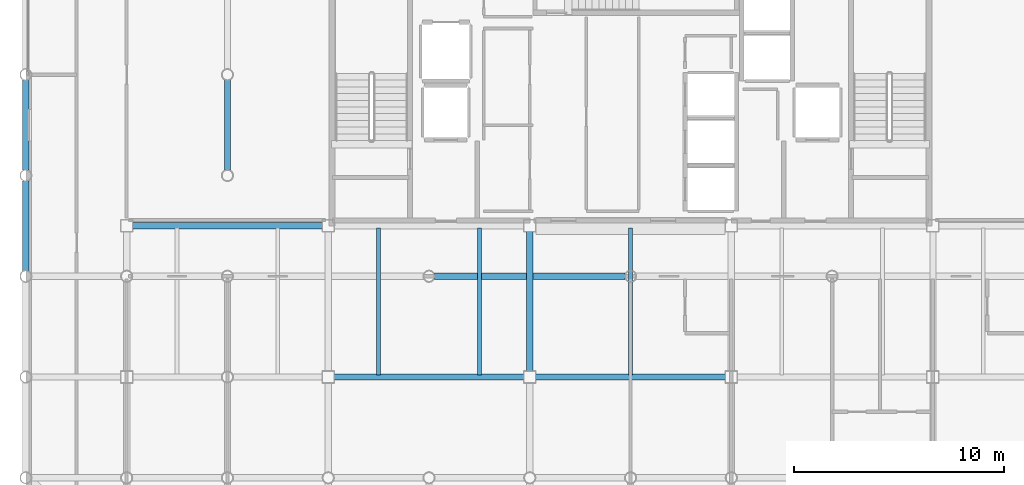
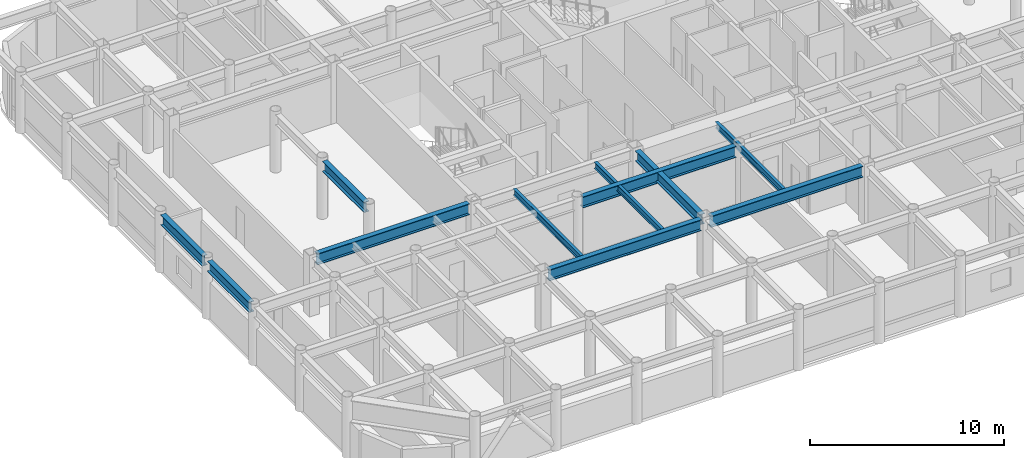
# One storey, part 5 of 21: 11 beams.
"""IFC4 building model written with IfcOpenShell, lengths in metres."""

from ifc_helpers import new_model, si_unit, direction, frame, origin, origin_2d, place, context, subcontext, project, spatial, i_section, extrude, material, material_profile, profile_set, type_object, element, save


model = new_model("IFC4")

# Units and contexts
model_context = context("Model", 3, precision=1e-05, world=origin(), true_north=direction((0.0, 1.0)))
body_context = subcontext(model_context, "Body", "Model", "MODEL_VIEW")
ifc_project = project(units=[si_unit("LENGTHUNIT", "METRE"), si_unit("AREAUNIT", "SQUARE_METRE"), si_unit("VOLUMEUNIT", "CUBIC_METRE"), si_unit("PLANEANGLEUNIT", "RADIAN"), si_unit("MASSUNIT", "GRAM", prefix="KILO")], contexts=[model_context])

# Site, building, storey
site_placement = place(None, origin())
site = spatial("IfcSite", under=ifc_project, at=site_placement, CompositionType="ELEMENT")
building_placement = place(site_placement, origin())
building = spatial("IfcBuilding", under=site, at=building_placement, Name="Kallvorn Hotel Tower", CompositionType="ELEMENT")
storey_placement = place(building_placement, frame((0.0, 0.0, 210.75)))
storey = spatial("IfcBuildingStorey", under=building, at=storey_placement, Name="L52", CompositionType="ELEMENT", Elevation=210.75)

# Beams
ifc_material_1 = material(Name="Structural steel S355JR", Category="steel")
ifc_material_profile_1 = material_profile(ifc_material_1, i_section(OverallWidth=0.300048828125, OverallDepth=0.64990234375, WebThickness=0.01611328125, FlangeThickness=0.031005859375, at=origin_2d()), Name="HE 650 B")
ifc_profile_set_1 = profile_set([ifc_material_profile_1], Name="Structural steel S355JR")
beam_type_1 = type_object("IfcBeamType", Name="BM_HE650B", PredefinedType="BEAM", material=ifc_profile_set_1)
for number, where, z_axis, x_axis, name in (
    (1, (-28.800048828125, -9.345458984375, 3.344970703125), (0.0, 1.0, 0.0), (-1.0, 0.0, 0.0), "L53 Primary Y-Girder 75"),
    (2, (-28.800048828125, -4.54541015625, 3.344970703125), (0.0, 1.0, 0.0), (-1.0, 0.0, 0.0), "L53 Primary Y-Girder 76"),
    (3, (-19.199951171875, -4.54541015625, 3.344970703125), (0.0, 1.0, 0.0), (-1.0, 0.0, 0.0), "L53 Primary Y-Girder 92"),
):
    element("IfcBeam", number, at=place(storey_placement, frame(where, z_axis=z_axis, x_axis=x_axis)), inside=storey, type_object=beam_type_1, Name=name, PredefinedType="BEAM", context=body_context, shape_type="SweptSolid", body=[
        extrude(i_section(OverallWidth=0.300048828125, OverallDepth=0.64990234375, WebThickness=0.01611328125, FlangeThickness=0.031005859375, at=origin_2d()), origin(), (0.0, 0.0, 1.0), 4.291015625),
    ])
beam_1_placement = place(storey_placement, frame((-4.800048828125, -14.125, 3.344970703125), z_axis=(0.0, 1.0, 0.0), x_axis=(-1.0, 0.0, 0.0)))
element("IfcBeam", 4, at=beam_1_placement, inside=storey, type_object=beam_type_1, Name="L53 Primary Y-Girder 107", PredefinedType="BEAM", context=body_context, shape_type="SweptSolid", body=[
    extrude(i_section(OverallWidth=0.300048828125, OverallDepth=0.64990234375, WebThickness=0.01611328125, FlangeThickness=0.031005859375, at=origin_2d()), origin(), (0.0, 0.0, 1.0), 6.64990234375),
])
ifc_material_2 = material(Name="Structural steel S355JR", Category="steel")
ifc_material_profile_2 = material_profile(ifc_material_2, i_section(OverallWidth=0.300048828125, OverallDepth=0.699951171875, WebThickness=0.01708984375, FlangeThickness=0.031982421875, at=origin_2d()), Name="HE 700 B")
ifc_profile_set_2 = profile_set([ifc_material_profile_2], Name="Structural steel S355JR")
beam_type_2 = type_object("IfcBeamType", Name="BM_HE700B", PredefinedType="BEAM", material=ifc_profile_set_2)
beam_2_placement = place(storey_placement, frame((-14.125, -14.39990234375, 3.320068359375), z_axis=(1.0, 0.0, 0.0), x_axis=(0.0, 1.0, 0.0)))
element("IfcBeam", 5, at=beam_2_placement, inside=storey, type_object=beam_type_2, Name="L53 Primary X-Girder 17", PredefinedType="BEAM", context=body_context, shape_type="SweptSolid", body=[
    extrude(i_section(OverallWidth=0.300048828125, OverallDepth=0.699951171875, WebThickness=0.01708984375, FlangeThickness=0.031982421875, at=origin_2d()), origin(), (0.0, 0.0, 1.0), 9.050048828125),
])
beam_3_placement = place(storey_placement, frame((-4.52490234375, -14.39990234375, 3.320068359375), z_axis=(1.0, 0.0, 0.0), x_axis=(0.0, 1.0, 0.0)))
element("IfcBeam", 6, at=beam_3_placement, inside=storey, type_object=beam_type_2, Name="L53 Primary X-Girder 18", PredefinedType="BEAM", context=body_context, shape_type="SweptSolid", body=[
    extrude(i_section(OverallWidth=0.300048828125, OverallDepth=0.699951171875, WebThickness=0.01708984375, FlangeThickness=0.031982421875, at=origin_2d()), origin(), (0.0, 0.0, 1.0), 9.0498046875),
])
beam_4_placement = place(storey_placement, frame((-9.345458984375, -9.60009765625, 3.320068359375), z_axis=(1.0, 0.0, 0.0), x_axis=(0.0, 1.0, 0.0)))
element("IfcBeam", 7, at=beam_4_placement, inside=storey, type_object=beam_type_2, Name="L53 Primary X-Girder 27", PredefinedType="BEAM", context=body_context, shape_type="SweptSolid", body=[
    extrude(i_section(OverallWidth=0.300048828125, OverallDepth=0.699951171875, WebThickness=0.01708984375, FlangeThickness=0.031982421875, at=origin_2d()), origin(), (0.0, 0.0, 1.0), 9.091064453125),
])
beam_5_placement = place(storey_placement, frame((-23.72509765625, -7.199951171875, 3.320068359375), z_axis=(1.0, 0.0, 0.0), x_axis=(0.0, 1.0, 0.0)))
element("IfcBeam", 8, at=beam_5_placement, inside=storey, type_object=beam_type_2, Name="L53 Primary X-Girder 33", PredefinedType="BEAM", context=body_context, shape_type="SweptSolid", body=[
    extrude(i_section(OverallWidth=0.300048828125, OverallDepth=0.699951171875, WebThickness=0.01708984375, FlangeThickness=0.031982421875, at=origin_2d()), origin(), (0.0, 0.0, 1.0), 9.050048828125),
])
ifc_material_3 = material(Name="Structural steel S355JR", Category="steel")
ifc_material_profile_3 = material_profile(ifc_material_3, i_section(OverallWidth=0.179931640625, OverallDepth=0.39990234375, WebThickness=0.008544921875, FlangeThickness=0.013427734375, at=origin_2d()), Name="IPE 400")
ifc_profile_set_3 = profile_set([ifc_material_profile_3], Name="Structural steel S355JR")
beam_type_3 = type_object("IfcBeamType", Name="BM_IPE400", PredefinedType="JOIST", material=ifc_profile_set_3)
for number, where, z_axis, x_axis, name in (
    (9, (-12.0, -14.300048828125, 3.469970703125), (0.0, 1.0, 0.0), (-1.0, 0.0, 0.0), "L53 Secondary Composite Joist 196"),
    (10, (-7.199951171875, -14.300048828125, 3.469970703125), (0.0, 1.0, 0.0), (-1.0, 0.0, 0.0), "L53 Secondary Composite Joist 198"),
    (11, (0.0, -14.300048828125, 3.469970703125), (0.0, 1.0, 0.0), (-1.0, 0.0, 0.0), "L53 Secondary Composite Joist 200"),
):
    element("IfcBeam", number, at=place(storey_placement, frame(where, z_axis=z_axis, x_axis=x_axis)), inside=storey, type_object=beam_type_3, Name=name, PredefinedType="JOIST", context=body_context, shape_type="SweptSolid", body=[
        extrude(i_section(OverallWidth=0.179931640625, OverallDepth=0.39990234375, WebThickness=0.008544921875, FlangeThickness=0.013427734375, at=origin_2d()), origin(), (0.0, 0.0, 1.0), 7.0),
    ])

save(model, "model.ifc")
